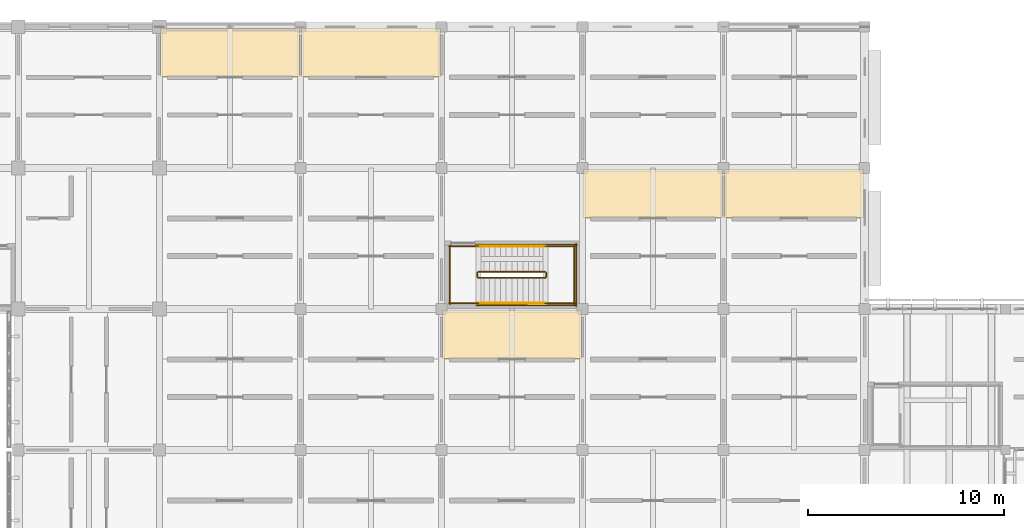
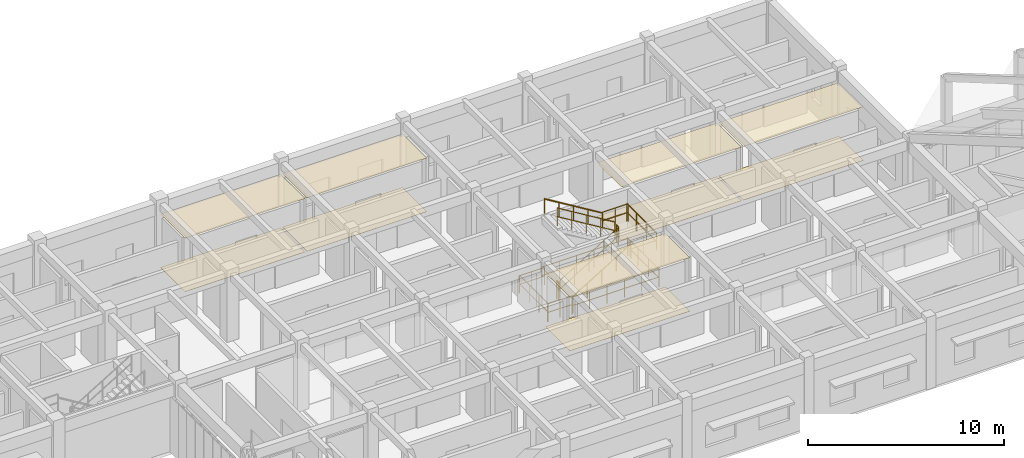
# One storey, part 152 of 171: 15 railings, 10 coverings.
"""IFC4 building model written with IfcOpenShell, lengths in metres."""

from ifc_helpers import new_model, si_unit, direction, frame, origin, origin_2d, place, context, subcontext, project, spatial, polyline, circle, outline, extrude, material, layer, layer_set, type_object, element, save


model = new_model("IFC4")

# Units and contexts
model_context = context("Model", 3, precision=1e-05, world=origin(), true_north=direction((0.0, 1.0)))
body_context = subcontext(model_context, "Body", "Model", "MODEL_VIEW")
ifc_project = project(units=[si_unit("LENGTHUNIT", "METRE"), si_unit("AREAUNIT", "SQUARE_METRE"), si_unit("VOLUMEUNIT", "CUBIC_METRE"), si_unit("PLANEANGLEUNIT", "RADIAN"), si_unit("MASSUNIT", "GRAM", prefix="KILO")], contexts=[model_context])

# Site, building, storey
site_placement = place(None, origin())
site = spatial("IfcSite", under=ifc_project, at=site_placement, CompositionType="ELEMENT")
building_placement = place(site_placement, origin())
building = spatial("IfcBuilding", under=site, at=building_placement, Name="Aldebral Square Health Centre", CompositionType="ELEMENT")
storey_placement = place(building_placement, frame((0.0, 0.0, 4.5)))
storey = spatial("IfcBuildingStorey", under=building, at=storey_placement, Name="L01", CompositionType="ELEMENT", Elevation=4.5)

# Coverings
ifc_material_1 = material(Name="Hygienic acoustic mineral ceiling tile")
ifc_layer_1 = layer(ifc_material_1, 0.02001953125, Name="Hygienic acoustic mineral ceiling tile")
ifc_layer_set_1 = layer_set([ifc_layer_1], Name="Hygienic acoustic mineral ceiling tile")
covering_type_1 = type_object("IfcCoveringType", Name="COV-CLG-AC", PredefinedType="CEILING", material=ifc_layer_set_1)
covering_1_placement = place(storey_placement, frame((0.0, 0.0, 3.340087890625)))
element("IfcCovering", 1, at=covering_1_placement, inside=storey, type_object=covering_type_1, Name="L01 Imaging Equipment Plant Room 5.16N acoustic ceiling", PredefinedType="CEILING", context=body_context, shape_type="SweptSolid", body=[
    extrude(outline(polyline([(28.860107421875, 112.639892578125), (35.93994140625, 112.639892578125), (35.93994140625, 115.139892578125), (28.860107421875, 115.139892578125), (28.860107421875, 112.639892578125)])), origin(), (0.0, 0.0, 1.0), 0.02001953125),
])
covering_2_placement = place(storey_placement, frame((0.0, 0.0, 3.340087890625)))
element("IfcCovering", 2, at=covering_2_placement, inside=storey, type_object=covering_type_1, Name="L01 Imaging Equipment Plant Room 6.16N acoustic ceiling", PredefinedType="CEILING", context=body_context, shape_type="SweptSolid", body=[
    extrude(outline(polyline([(36.06005859375, 112.639892578125), (43.139892578125, 112.639892578125), (43.139892578125, 115.139892578125), (36.06005859375, 115.139892578125), (36.06005859375, 112.639892578125)])), origin(), (0.0, 0.0, 1.0), 0.02001953125),
])
covering_3_placement = place(storey_placement, frame((0.0, 0.0, 3.340087890625)))
element("IfcCovering", 3, at=covering_3_placement, inside=storey, type_object=covering_type_1, Name="L01 Mammography Screening Suite 7.14N acoustic ceiling", PredefinedType="CEILING", context=body_context, shape_type="SweptSolid", body=[
    extrude(outline(polyline([(43.260009765625, 98.239990234375), (50.340087890625, 98.239990234375), (50.340087890625, 100.739990234375), (43.260009765625, 100.739990234375), (43.260009765625, 98.239990234375)])), origin(), (0.0, 0.0, 1.0), 0.02001953125),
])
covering_4_placement = place(storey_placement, frame((0.0, 0.0, 3.340087890625)))
element("IfcCovering", 4, at=covering_4_placement, inside=storey, type_object=covering_type_1, Name="L01 Mammography Screening Suite 8.15N acoustic ceiling", PredefinedType="CEILING", context=body_context, shape_type="SweptSolid", body=[
    extrude(outline(polyline([(50.4599609375, 105.43994140625), (57.5400390625, 105.43994140625), (57.5400390625, 107.93994140625), (50.4599609375, 107.93994140625), (50.4599609375, 105.43994140625)])), origin(), (0.0, 0.0, 1.0), 0.02001953125),
])
covering_5_placement = place(storey_placement, frame((0.0, 0.0, 3.340087890625)))
element("IfcCovering", 5, at=covering_5_placement, inside=storey, type_object=covering_type_1, Name="L01 Mammography Screening Suite 9.15N acoustic ceiling", PredefinedType="CEILING", context=body_context, shape_type="SweptSolid", body=[
    extrude(outline(polyline([(57.659912109375, 105.43994140625), (64.739990234375, 105.43994140625), (64.739990234375, 107.93994140625), (57.659912109375, 107.93994140625), (57.659912109375, 105.43994140625)])), origin(), (0.0, 0.0, 1.0), 0.02001953125),
])
ifc_material_2 = material(Name="Antimicrobial clinical vinyl flooring")
ifc_layer_2 = layer(ifc_material_2, 0.014892578125, Name="Antimicrobial clinical vinyl flooring")
ifc_layer_set_2 = layer_set([ifc_layer_2], Name="Antimicrobial clinical vinyl flooring")
covering_type_2 = type_object("IfcCoveringType", Name="COV-FLR-VN", PredefinedType="FLOORING", material=ifc_layer_set_2)
covering_6_placement = place(storey_placement, origin())
element("IfcCovering", 6, at=covering_6_placement, inside=storey, type_object=covering_type_2, Name="L01 Imaging Equipment Plant Room 5.16N clinical flooring", PredefinedType="FLOORING", context=body_context, shape_type="SweptSolid", body=[
    extrude(outline(polyline([(28.860107421875, 112.639892578125), (35.93994140625, 112.639892578125), (35.93994140625, 115.139892578125), (28.860107421875, 115.139892578125), (28.860107421875, 112.639892578125)])), origin(), (0.0, 0.0, 1.0), 0.014892578125),
])
covering_7_placement = place(storey_placement, origin())
element("IfcCovering", 7, at=covering_7_placement, inside=storey, type_object=covering_type_2, Name="L01 Imaging Equipment Plant Room 6.16N clinical flooring", PredefinedType="FLOORING", context=body_context, shape_type="SweptSolid", body=[
    extrude(outline(polyline([(36.06005859375, 112.639892578125), (43.139892578125, 112.639892578125), (43.139892578125, 115.139892578125), (36.06005859375, 115.139892578125), (36.06005859375, 112.639892578125)])), origin(), (0.0, 0.0, 1.0), 0.014892578125),
])
covering_8_placement = place(storey_placement, origin())
element("IfcCovering", 8, at=covering_8_placement, inside=storey, type_object=covering_type_2, Name="L01 Mammography Screening Suite 7.14N clinical flooring", PredefinedType="FLOORING", context=body_context, shape_type="SweptSolid", body=[
    extrude(outline(polyline([(43.260009765625, 98.239990234375), (50.340087890625, 98.239990234375), (50.340087890625, 100.739990234375), (43.260009765625, 100.739990234375), (43.260009765625, 98.239990234375)])), origin(), (0.0, 0.0, 1.0), 0.014892578125),
])
covering_9_placement = place(storey_placement, origin())
element("IfcCovering", 9, at=covering_9_placement, inside=storey, type_object=covering_type_2, Name="L01 Mammography Screening Suite 8.15N clinical flooring", PredefinedType="FLOORING", context=body_context, shape_type="SweptSolid", body=[
    extrude(outline(polyline([(50.4599609375, 105.43994140625), (57.5400390625, 105.43994140625), (57.5400390625, 107.93994140625), (50.4599609375, 107.93994140625), (50.4599609375, 105.43994140625)])), origin(), (0.0, 0.0, 1.0), 0.014892578125),
])
covering_10_placement = place(storey_placement, origin())
element("IfcCovering", 10, at=covering_10_placement, inside=storey, type_object=covering_type_2, Name="L01 Mammography Screening Suite 9.15N clinical flooring", PredefinedType="FLOORING", context=body_context, shape_type="SweptSolid", body=[
    extrude(outline(polyline([(57.659912109375, 105.43994140625), (64.739990234375, 105.43994140625), (64.739990234375, 107.93994140625), (57.659912109375, 107.93994140625), (57.659912109375, 105.43994140625)])), origin(), (0.0, 0.0, 1.0), 0.014892578125),
])

# Railings
ifc_material_3 = material(Name="Painted steel S355JR stair guard", Category="steel")
railing_type_1 = type_object("IfcRailingType", Name="RL-ST-GRD", PredefinedType="GUARDRAIL", material=ifc_material_3)
railing_1_placement = place(storey_placement, frame((45.080078125, 102.389892578125, 0.173095703125)))
element("IfcRailing", 11, at=railing_1_placement, inside=storey, type_object=railing_type_1, Name="L01 ST-06 stair guard 1", PredefinedType="GUARDRAIL", context=body_context, shape_type="SweptSolid", body=[
    extrude(circle(Radius=0.02392578125, at=origin_2d()), frame((0.0, 0.0, 1.09619140625), z_axis=(0.854729506542, 0.0, 0.519073665916), x_axis=(0.0, 1.0, 0.0)), (0.0, 0.0, 1.0), 4.001220703125),
    extrude(circle(Radius=0.02392578125, at=origin_2d()), frame((0.0, 0.0, 0.56005859375), z_axis=(0.854729506542, 0.0, 0.519073665916), x_axis=(0.0, 1.0, 0.0)), (0.0, 0.0, 1.0), 4.001220703125),
    extrude(circle(Radius=0.02099609375, at=origin_2d()), origin(), (0.0, 0.0, 1.0), 1.072021484375),
    extrude(circle(Radius=0.02099609375, at=origin_2d()), frame((0.85498046875, 0.0, 0.519287109375)), (0.0, 0.0, 1.0), 1.072021484375),
    extrude(circle(Radius=0.02099609375, at=origin_2d()), frame((1.7099609375, 0.0, 1.03857421875)), (0.0, 0.0, 1.0), 1.072021484375),
    extrude(circle(Radius=0.02099609375, at=origin_2d()), frame((2.56494140625, 0.0, 1.5576171875)), (0.0, 0.0, 1.0), 1.072021484375),
    extrude(circle(Radius=0.02099609375, at=origin_2d()), frame((3.419921875, 0.0, 2.076904296875)), (0.0, 0.0, 1.0), 1.072021484375),
])
railing_2_placement = place(storey_placement, frame((48.550048828125, 102.43994140625, 2.25)))
element("IfcRailing", 12, at=railing_2_placement, inside=storey, type_object=railing_type_1, Name="L01 ST-06 stair guard 2", PredefinedType="GUARDRAIL", context=body_context, shape_type="SweptSolid", body=[
    extrude(circle(Radius=0.02392578125, at=origin_2d()), frame((0.0, 0.0, 1.09619140625), z_axis=(0.0, 1.0, 0.0), x_axis=(-1.0, 0.0, 0.0)), (0.0, 0.0, 1.0), 0.199951171875),
    extrude(circle(Radius=0.02392578125, at=origin_2d()), frame((0.0, 0.0, 0.56005859375), z_axis=(0.0, 1.0, 0.0), x_axis=(-1.0, 0.0, 0.0)), (0.0, 0.0, 1.0), 0.199951171875),
    extrude(circle(Radius=0.02099609375, at=origin_2d()), origin(), (0.0, 0.0, 1.0), 1.072021484375),
    extrude(circle(Radius=0.02099609375, at=origin_2d()), frame((0.0, 0.199951171875, 0.0)), (0.0, 0.0, 1.0), 1.072021484375),
])
for number, where, name in (
    (13, (48.5, 101.090087890625, 2.25), "L01 ST-06 stair guard 3"),
    (14, (48.5, 103.989990234375, 2.25), "L01 ST-06 stair guard 4"),
):
    element("IfcRailing", number, at=place(storey_placement, frame(where)), inside=storey, type_object=railing_type_1, Name=name, PredefinedType="GUARDRAIL", context=body_context, shape_type="SweptSolid", body=[
        extrude(circle(Radius=0.02392578125, at=origin_2d()), frame((0.0, 0.0, 1.09619140625), z_axis=(1.0, 0.0, 0.0), x_axis=(0.0, 1.0, 0.0)), (0.0, 0.0, 1.0), 1.52001953125),
        extrude(circle(Radius=0.02392578125, at=origin_2d()), frame((0.0, 0.0, 0.56005859375), z_axis=(1.0, 0.0, 0.0), x_axis=(0.0, 1.0, 0.0)), (0.0, 0.0, 1.0), 1.52001953125),
        extrude(circle(Radius=0.02099609375, at=origin_2d()), origin(), (0.0, 0.0, 1.0), 1.072021484375),
        extrude(circle(Radius=0.02099609375, at=origin_2d()), frame((0.760009765625, 0.0, 0.0)), (0.0, 0.0, 1.0), 1.072021484375),
        extrude(circle(Radius=0.02099609375, at=origin_2d()), frame((1.52001953125, 0.0, 0.0)), (0.0, 0.0, 1.0), 1.072021484375),
    ])
railing_3_placement = place(storey_placement, frame((49.969970703125, 101.0400390625, 2.25)))
element("IfcRailing", 15, at=railing_3_placement, inside=storey, type_object=railing_type_1, Name="L01 ST-06 stair guard 5", PredefinedType="GUARDRAIL", context=body_context, shape_type="SweptSolid", body=[
    extrude(circle(Radius=0.02392578125, at=origin_2d()), frame((0.0, 0.0, 1.09619140625), z_axis=(0.0, 1.0, 0.0), x_axis=(-1.0, 0.0, 0.0)), (0.0, 0.0, 1.0), 3.0),
    extrude(circle(Radius=0.02392578125, at=origin_2d()), frame((0.0, 0.0, 0.56005859375), z_axis=(0.0, 1.0, 0.0), x_axis=(-1.0, 0.0, 0.0)), (0.0, 0.0, 1.0), 3.0),
    extrude(circle(Radius=0.02099609375, at=origin_2d()), origin(), (0.0, 0.0, 1.0), 1.072021484375),
    extrude(circle(Radius=0.02099609375, at=origin_2d()), frame((0.0, 1.0, 0.0)), (0.0, 0.0, 1.0), 1.072021484375),
    extrude(circle(Radius=0.02099609375, at=origin_2d()), frame((0.0, 2.0, 0.0)), (0.0, 0.0, 1.0), 1.072021484375),
    extrude(circle(Radius=0.02099609375, at=origin_2d()), frame((0.0, 3.0, 0.0)), (0.0, 0.0, 1.0), 1.072021484375),
])
railing_4_placement = place(storey_placement, frame((48.5, 102.68994140625, 2.423095703125)))
element("IfcRailing", 16, at=railing_4_placement, inside=storey, type_object=railing_type_1, Name="L01 ST-06 stair guard 6", PredefinedType="GUARDRAIL", context=body_context, shape_type="SweptSolid", body=[
    extrude(circle(Radius=0.02392578125, at=origin_2d()), frame((0.0, 0.0, 1.09619140625), z_axis=(-0.854729506542, 0.0, 0.519073665916), x_axis=(0.0, -1.0, 0.0)), (0.0, 0.0, 1.0), 4.001220703125),
    extrude(circle(Radius=0.02392578125, at=origin_2d()), frame((0.0, 0.0, 0.56005859375), z_axis=(-0.854729506542, 0.0, 0.519073665916), x_axis=(0.0, -1.0, 0.0)), (0.0, 0.0, 1.0), 4.001220703125),
    extrude(circle(Radius=0.02099609375, at=origin_2d()), origin(), (0.0, 0.0, 1.0), 1.072021484375),
    extrude(circle(Radius=0.02099609375, at=origin_2d()), frame((-0.85498046875, 0.0, 0.519287109375)), (0.0, 0.0, 1.0), 1.072021484375),
    extrude(circle(Radius=0.02099609375, at=origin_2d()), frame((-1.7099609375, 0.0, 1.03857421875)), (0.0, 0.0, 1.0), 1.072021484375),
    extrude(circle(Radius=0.02099609375, at=origin_2d()), frame((-2.56494140625, 0.0, 1.5576171875)), (0.0, 0.0, 1.0), 1.072021484375),
    extrude(circle(Radius=0.02099609375, at=origin_2d()), frame((-3.419921875, 0.0, 2.076904296875)), (0.0, 0.0, 1.0), 1.072021484375),
])
railing_5_placement = place(storey_placement, frame((45.030029296875, 102.43994140625, 0.0)))
element("IfcRailing", 17, at=railing_5_placement, inside=storey, type_object=railing_type_1, Name="L01 ST-06 stair guard 7", PredefinedType="GUARDRAIL", context=body_context, shape_type="SweptSolid", body=[
    extrude(circle(Radius=0.02392578125, at=origin_2d()), frame((0.0, 0.0, 1.09619140625), z_axis=(0.0, 1.0, 0.0), x_axis=(-1.0, 0.0, 0.0)), (0.0, 0.0, 1.0), 0.199951171875),
    extrude(circle(Radius=0.02392578125, at=origin_2d()), frame((0.0, 0.0, 0.56005859375), z_axis=(0.0, 1.0, 0.0), x_axis=(-1.0, 0.0, 0.0)), (0.0, 0.0, 1.0), 0.199951171875),
    extrude(circle(Radius=0.02099609375, at=origin_2d()), origin(), (0.0, 0.0, 1.0), 1.072021484375),
    extrude(circle(Radius=0.02099609375, at=origin_2d()), frame((0.0, 0.199951171875, 0.0)), (0.0, 0.0, 1.0), 1.072021484375),
])
for number, where, name in (
    (18, (43.580078125, 101.090087890625, 0.0), "L01 ST-06 stair guard 8"),
    (19, (43.580078125, 103.989990234375, 0.0), "L01 ST-06 stair guard 9"),
):
    element("IfcRailing", number, at=place(storey_placement, frame(where)), inside=storey, type_object=railing_type_1, Name=name, PredefinedType="GUARDRAIL", context=body_context, shape_type="SweptSolid", body=[
        extrude(circle(Radius=0.02392578125, at=origin_2d()), frame((0.0, 0.0, 1.09619140625), z_axis=(1.0, 0.0, 0.0), x_axis=(0.0, 1.0, 0.0)), (0.0, 0.0, 1.0), 1.5),
        extrude(circle(Radius=0.02392578125, at=origin_2d()), frame((0.0, 0.0, 0.56005859375), z_axis=(1.0, 0.0, 0.0), x_axis=(0.0, 1.0, 0.0)), (0.0, 0.0, 1.0), 1.5),
        extrude(circle(Radius=0.02099609375, at=origin_2d()), origin(), (0.0, 0.0, 1.0), 1.072021484375),
        extrude(circle(Radius=0.02099609375, at=origin_2d()), frame((0.75, 0.0, 0.0)), (0.0, 0.0, 1.0), 1.072021484375),
        extrude(circle(Radius=0.02099609375, at=origin_2d()), frame((1.5, 0.0, 0.0)), (0.0, 0.0, 1.0), 1.072021484375),
    ])
railing_6_placement = place(storey_placement, frame((43.6298828125, 101.0400390625, 0.0)))
element("IfcRailing", 20, at=railing_6_placement, inside=storey, type_object=railing_type_1, Name="L01 ST-06 stair guard 10", PredefinedType="GUARDRAIL", context=body_context, shape_type="SweptSolid", body=[
    extrude(circle(Radius=0.02392578125, at=origin_2d()), frame((0.0, 0.0, 1.09619140625), z_axis=(0.0, 1.0, 0.0), x_axis=(-1.0, 0.0, 0.0)), (0.0, 0.0, 1.0), 3.0),
    extrude(circle(Radius=0.02392578125, at=origin_2d()), frame((0.0, 0.0, 0.56005859375), z_axis=(0.0, 1.0, 0.0), x_axis=(-1.0, 0.0, 0.0)), (0.0, 0.0, 1.0), 3.0),
    extrude(circle(Radius=0.02099609375, at=origin_2d()), origin(), (0.0, 0.0, 1.0), 1.072021484375),
    extrude(circle(Radius=0.02099609375, at=origin_2d()), frame((0.0, 1.0, 0.0)), (0.0, 0.0, 1.0), 1.072021484375),
    extrude(circle(Radius=0.02099609375, at=origin_2d()), frame((0.0, 2.0, 0.0)), (0.0, 0.0, 1.0), 1.072021484375),
    extrude(circle(Radius=0.02099609375, at=origin_2d()), frame((0.0, 3.0, 0.0)), (0.0, 0.0, 1.0), 1.072021484375),
])
for number, where, name in (
    (21, (44.97998046875, 100.989990234375, 0.0), "L01 ST-06 stair guard 11"),
    (22, (44.97998046875, 104.090087890625, 0.0), "L01 ST-06 stair guard 12"),
):
    element("IfcRailing", number, at=place(storey_placement, frame(where)), inside=storey, type_object=railing_type_1, Name=name, PredefinedType="GUARDRAIL", context=body_context, shape_type="SweptSolid", body=[
        extrude(circle(Radius=0.02392578125, at=origin_2d()), frame((0.0, 0.0, 1.09619140625), z_axis=(1.0, 0.0, 0.0), x_axis=(0.0, 1.0, 0.0)), (0.0, 0.0, 1.0), 5.14013671875),
        extrude(circle(Radius=0.02392578125, at=origin_2d()), frame((0.0, 0.0, 0.56005859375), z_axis=(1.0, 0.0, 0.0), x_axis=(0.0, 1.0, 0.0)), (0.0, 0.0, 1.0), 5.14013671875),
        extrude(circle(Radius=0.02099609375, at=origin_2d()), origin(), (0.0, 0.0, 1.0), 1.072021484375),
        extrude(circle(Radius=0.02099609375, at=origin_2d()), frame((1.028076171875, 0.0, 0.0)), (0.0, 0.0, 1.0), 1.072021484375),
        extrude(circle(Radius=0.02099609375, at=origin_2d()), frame((2.05615234375, 0.0, 0.0)), (0.0, 0.0, 1.0), 1.072021484375),
        extrude(circle(Radius=0.02099609375, at=origin_2d()), frame((3.083984375, 0.0, 0.0)), (0.0, 0.0, 1.0), 1.072021484375),
        extrude(circle(Radius=0.02099609375, at=origin_2d()), frame((4.112060546875, 0.0, 0.0)), (0.0, 0.0, 1.0), 1.072021484375),
        extrude(circle(Radius=0.02099609375, at=origin_2d()), frame((5.14013671875, 0.0, 0.0)), (0.0, 0.0, 1.0), 1.072021484375),
    ])
railing_7_placement = place(storey_placement, frame((50.070068359375, 100.93994140625, 0.0)))
element("IfcRailing", 23, at=railing_7_placement, inside=storey, type_object=railing_type_1, Name="L01 ST-06 stair guard 13", PredefinedType="GUARDRAIL", context=body_context, shape_type="SweptSolid", body=[
    extrude(circle(Radius=0.02392578125, at=origin_2d()), frame((0.0, 0.0, 1.09619140625), z_axis=(0.0, 1.0, 0.0), x_axis=(-1.0, 0.0, 0.0)), (0.0, 0.0, 1.0), 3.199951171875),
    extrude(circle(Radius=0.02392578125, at=origin_2d()), frame((0.0, 0.0, 0.56005859375), z_axis=(0.0, 1.0, 0.0), x_axis=(-1.0, 0.0, 0.0)), (0.0, 0.0, 1.0), 3.199951171875),
    extrude(circle(Radius=0.02099609375, at=origin_2d()), origin(), (0.0, 0.0, 1.0), 1.072021484375),
    extrude(circle(Radius=0.02099609375, at=origin_2d()), frame((0.0, 1.066650390625, 0.0)), (0.0, 0.0, 1.0), 1.072021484375),
    extrude(circle(Radius=0.02099609375, at=origin_2d()), frame((0.0, 2.13330078125, 0.0)), (0.0, 0.0, 1.0), 1.072021484375),
    extrude(circle(Radius=0.02099609375, at=origin_2d()), frame((0.0, 3.199951171875, 0.0)), (0.0, 0.0, 1.0), 1.072021484375),
])
ifc_material_4 = material(Name="Brushed stainless steel handrail", Category="steel")
railing_type_2 = type_object("IfcRailingType", Name="RL-ST-HND", PredefinedType="HANDRAIL", material=ifc_material_4)
railing_8_placement = place(storey_placement, frame((45.080078125, 101.090087890625, 0.173095703125)))
element("IfcRailing", 24, at=railing_8_placement, inside=storey, type_object=railing_type_2, Name="L01 ST-06 stair handrail 1", PredefinedType="HANDRAIL", context=body_context, shape_type="SweptSolid", body=[
    extrude(circle(Radius=0.02392578125, at=origin_2d()), frame((0.0, 0.0, 0.8759765625), z_axis=(0.854729506542, 0.0, 0.519073665916), x_axis=(0.0, 1.0, 0.0)), (0.0, 0.0, 1.0), 4.001220703125),
    extrude(circle(Radius=0.02099609375, at=origin_2d()), origin(), (0.0, 0.0, 1.0), 0.851806640625),
    extrude(circle(Radius=0.02099609375, at=origin_2d()), frame((0.85498046875, 0.0, 0.519287109375)), (0.0, 0.0, 1.0), 0.851806640625),
    extrude(circle(Radius=0.02099609375, at=origin_2d()), frame((1.7099609375, 0.0, 1.03857421875)), (0.0, 0.0, 1.0), 0.851806640625),
    extrude(circle(Radius=0.02099609375, at=origin_2d()), frame((2.56494140625, 0.0, 1.5576171875)), (0.0, 0.0, 1.0), 0.851806640625),
    extrude(circle(Radius=0.02099609375, at=origin_2d()), frame((3.419921875, 0.0, 2.076904296875)), (0.0, 0.0, 1.0), 0.851806640625),
])
railing_9_placement = place(storey_placement, frame((48.5, 103.989990234375, 2.423095703125)))
element("IfcRailing", 25, at=railing_9_placement, inside=storey, type_object=railing_type_2, Name="L01 ST-06 stair handrail 2", PredefinedType="HANDRAIL", context=body_context, shape_type="SweptSolid", body=[
    extrude(circle(Radius=0.02392578125, at=origin_2d()), frame((0.0, 0.0, 0.8759765625), z_axis=(-0.854729506542, 0.0, 0.519073665916), x_axis=(0.0, -1.0, 0.0)), (0.0, 0.0, 1.0), 4.001220703125),
    extrude(circle(Radius=0.02099609375, at=origin_2d()), origin(), (0.0, 0.0, 1.0), 0.851806640625),
    extrude(circle(Radius=0.02099609375, at=origin_2d()), frame((-0.85498046875, 0.0, 0.519287109375)), (0.0, 0.0, 1.0), 0.851806640625),
    extrude(circle(Radius=0.02099609375, at=origin_2d()), frame((-1.7099609375, 0.0, 1.03857421875)), (0.0, 0.0, 1.0), 0.851806640625),
    extrude(circle(Radius=0.02099609375, at=origin_2d()), frame((-2.56494140625, 0.0, 1.5576171875)), (0.0, 0.0, 1.0), 0.851806640625),
    extrude(circle(Radius=0.02099609375, at=origin_2d()), frame((-3.419921875, 0.0, 2.076904296875)), (0.0, 0.0, 1.0), 0.851806640625),
])

save(model, "model.ifc")
